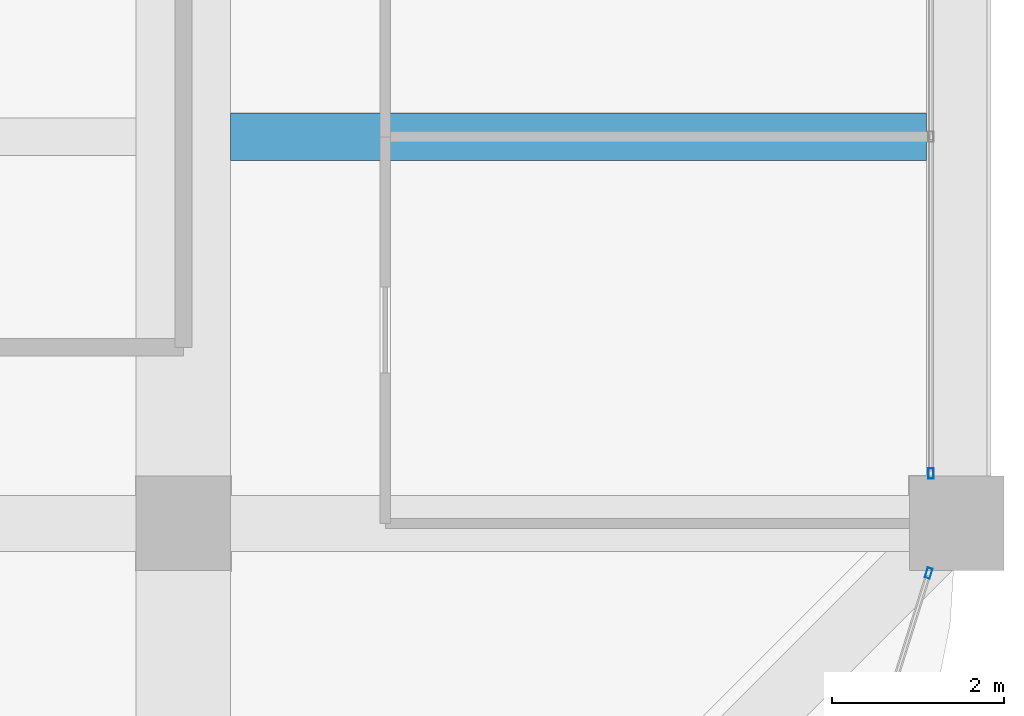
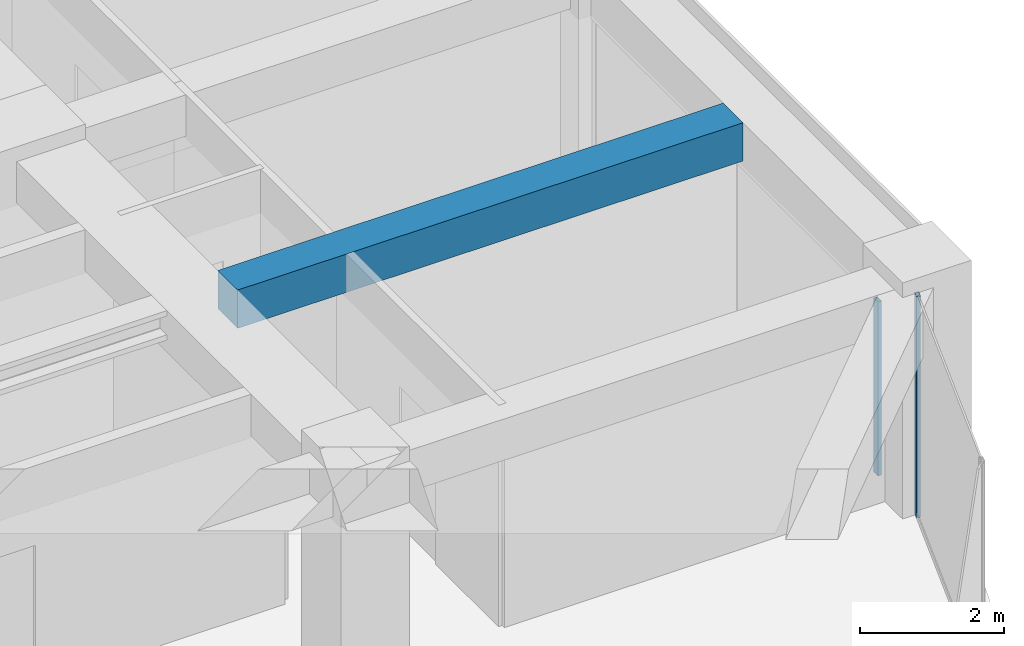
# One storey, part 22 of 44: 2 members, 1 beam, 2 elements without a shape of their own.
"""IFC4 building model written with IfcOpenShell, lengths in metres."""

from ifc_helpers import new_model, si_unit, direction, frame, origin, origin_2d, place, context, subcontext, project, spatial, rectangle, hollow_rectangle, extrude, material, material_profile, profile_set, type_object, element, aggregate, save


model = new_model("IFC4")

# Units and contexts
model_context = context("Model", 3, precision=1e-05, world=origin(), true_north=direction((0.0, 1.0)))
body_context = subcontext(model_context, "Body", "Model", "MODEL_VIEW")
ifc_project = project(units=[si_unit("LENGTHUNIT", "METRE"), si_unit("AREAUNIT", "SQUARE_METRE"), si_unit("VOLUMEUNIT", "CUBIC_METRE"), si_unit("PLANEANGLEUNIT", "RADIAN"), si_unit("MASSUNIT", "GRAM", prefix="KILO")], contexts=[model_context])

# Site, building, storey
site_placement = place(None, origin())
site = spatial("IfcSite", under=ifc_project, at=site_placement, CompositionType="ELEMENT")
building_placement = place(site_placement, origin())
building = spatial("IfcBuilding", under=site, at=building_placement, Name="Zorevar Civic Tower", CompositionType="ELEMENT")
storey_placement = place(building_placement, frame((0.0, 0.0, 263.39990234375)))
storey = spatial("IfcBuildingStorey", under=building, at=storey_placement, Name="L64", CompositionType="ELEMENT", Elevation=263.39990234375)

# Beam
ifc_material_1 = material(Name="Concrete C50/60", Category="concrete")
ifc_material_profile_1 = material_profile(ifc_material_1, rectangle(XDim=0.550048828125, YDim=0.64990234375, at=origin_2d()), Name="RC 550x650")
ifc_profile_set_1 = profile_set([ifc_material_profile_1], Name="Concrete C50/60")
beam_type = type_object("IfcBeamType", Name="Beam RC 550x650", PredefinedType="BEAM", material=ifc_profile_set_1)
beam_placement = place(storey_placement, frame((45.550048828125, 13.5, 3.425048828125), z_axis=(1.0, 0.0, 0.0), x_axis=(0.0, 1.0, 0.0)))
element("IfcBeam", 1, at=beam_placement, inside=storey, type_object=beam_type, Name="Secondary beam L65", PredefinedType="BEAM", context=body_context, shape_type="SweptSolid", body=[
    extrude(rectangle(XDim=0.550048828125, YDim=0.64990234375, at=origin_2d()), origin(), (0.0, 0.0, 1.0), 8.099853515625),
])

# Curtain wall, member
ifc_material_2 = material(Name="Dark grey solar-control glass in black aluminium frame", Category="aluminium")
curtain_wall_type = type_object("IfcCurtainWallType", Name="Curtain wall CW5 top zone", PredefinedType="NOTDEFINED", material=ifc_material_2)
curtain_wall_1_placement = place(storey_placement, origin())
curtain_wall_1 = element("IfcCurtainWall", 2, at=curtain_wall_1_placement, inside=storey, type_object=curtain_wall_type, Name="CW5 L64", PredefinedType="NOTDEFINED")
ifc_material_3 = material(Name="Aluminium, black anodised", Category="aluminium")
ifc_material_profile_2 = material_profile(ifc_material_3, hollow_rectangle(XDim=0.06005859375, YDim=0.1201171875, WallThickness=0.0029296875, at=origin_2d()), Name="AL 120x60x3")
ifc_profile_set_2 = profile_set([ifc_material_profile_2], Name="Aluminium, black anodised")
member_type = type_object("IfcMemberType", Name="CW5 mullion AL 120x60x3", PredefinedType="MULLION", material=ifc_profile_set_2)
member_1_placement = place(storey_placement, frame((53.699951171875, 9.580078125, 0.0), z_axis=(0.0, 0.0, 1.0), x_axis=(-1.0, 0.0, 0.0)))
member_1 = element("IfcMember", 3, at=member_1_placement, type_object=member_type, Name="CW5 mullion 1", PredefinedType="MULLION", context=body_context, shape_type="SweptSolid", body=[
    extrude(hollow_rectangle(XDim=0.06005859375, YDim=0.1201171875, WallThickness=0.0029296875, at=origin_2d()), origin(), (0.0, 0.0, 1.0), 2.9501953125),
])
aggregate(curtain_wall_1, [member_1])

curtain_wall_2_placement = place(storey_placement, origin())
curtain_wall_2 = element("IfcCurtainWall", 4, at=curtain_wall_2_placement, inside=storey, type_object=curtain_wall_type, Name="CW5 L64", PredefinedType="NOTDEFINED")
member_2_placement = place(storey_placement, frame((53.673583984375, 8.42138671875, 0.0), z_axis=(0.0, 0.0, 1.0), x_axis=(-0.954153437674, 0.299317920238, 0.0)))
member_2 = element("IfcMember", 5, at=member_2_placement, type_object=member_type, Name="CW5 mullion 2", PredefinedType="MULLION", context=body_context, shape_type="SweptSolid", body=[
    extrude(hollow_rectangle(XDim=0.06005859375, YDim=0.1201171875, WallThickness=0.0029296875, at=origin_2d()), origin(), (0.0, 0.0, 1.0), 3.75),
])
aggregate(curtain_wall_2, [member_2])

save(model, "model.ifc")
